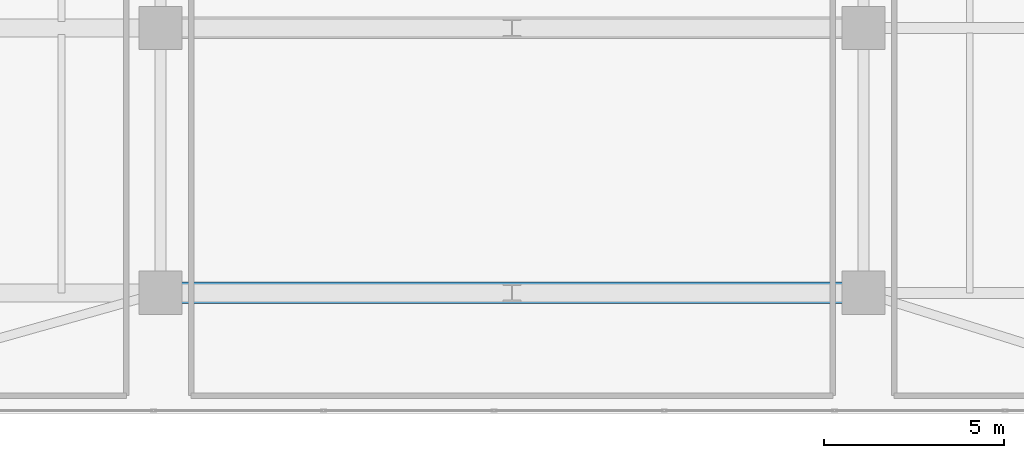
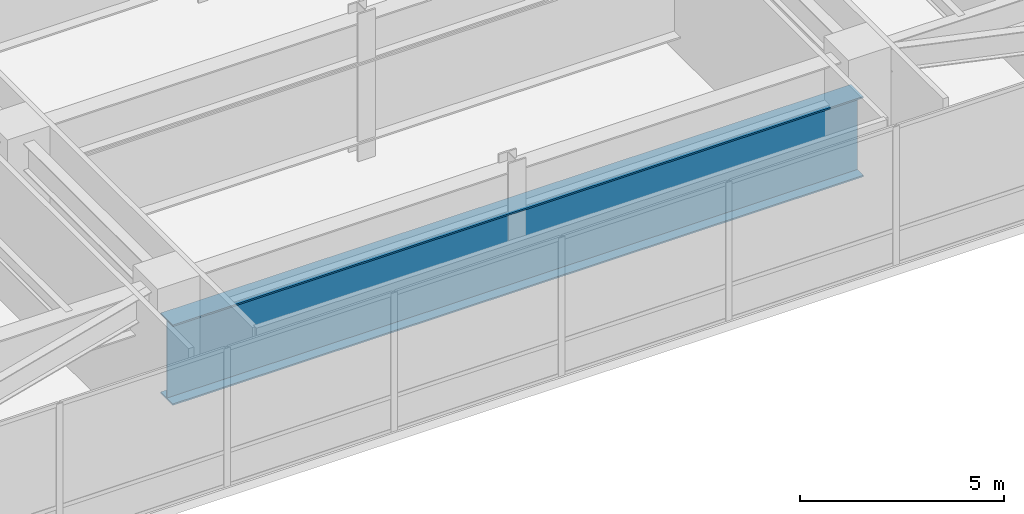
# One storey, part 10 of 27: 1 beam.
"""IFC4 building model written with IfcOpenShell, lengths in metres."""

from ifc_helpers import new_model, si_unit, direction, frame, origin, origin_2d, place, context, subcontext, project, spatial, i_section, extrude, source, transform, mapped, material, material_profile, profile_set, type_object, type_shapes, element, save


model = new_model("IFC4")

# Units and contexts
model_context = context("Model", 3, precision=1e-05, world=origin(), true_north=direction((0.0, 1.0)))
body_context = subcontext(model_context, "Body", "Model", "MODEL_VIEW")
ifc_project = project(units=[si_unit("LENGTHUNIT", "METRE"), si_unit("AREAUNIT", "SQUARE_METRE"), si_unit("VOLUMEUNIT", "CUBIC_METRE"), si_unit("PLANEANGLEUNIT", "RADIAN"), si_unit("MASSUNIT", "GRAM", prefix="KILO")], contexts=[model_context])

# Site, building, storey
site_placement = place(None, origin())
site = spatial("IfcSite", under=ifc_project, at=site_placement, CompositionType="ELEMENT")
building_placement = place(site_placement, origin())
building = spatial("IfcBuilding", under=site, at=building_placement, Name="Tolvann Quenvar Hotel", CompositionType="ELEMENT")
storey_placement = place(building_placement, frame((0.0, 0.0, 22.39990234375)))
storey = spatial("IfcBuildingStorey", under=building, at=storey_placement, Name="L04", CompositionType="ELEMENT", Elevation=22.39990234375)

# Beam
ifc_material = material(Name="Steel Grade 350", Category="steel")
ifc_material_profile = material_profile(ifc_material, i_section(OverallWidth=0.60009765625, OverallDepth=2.39990234375, WebThickness=0.02001953125, FlangeThickness=0.044921875, at=origin_2d()), Name="2400WB655")
ifc_profile_set = profile_set([ifc_material_profile], Name="Steel Grade 350")
beam_type = type_object("IfcBeamType", Name="BM_TG_2400WB655", PredefinedType="USERDEFINED", material=ifc_profile_set)
shared_shape = source(origin(), body_context, "Body", "SweptSolid", [
    extrude(i_section(OverallWidth=0.60009765625, OverallDepth=2.39990234375, WebThickness=0.02001953125, FlangeThickness=0.044921875, at=origin_2d()), origin(), (0.0, 0.0, 1.0), 19.5),
])
type_shapes(beam_type, [shared_shape])
beam_placement = place(storey_placement, frame((18.75, 0.85009765625, 1.739990234375), z_axis=(1.0, 0.0, 0.0), x_axis=(0.0, 1.0, 0.0)))
element("IfcBeam", 1, at=beam_placement, inside=storey, type_object=beam_type, Name="BM-L04-ACAR-1", ObjectType="TRANSFER GIRDER", PredefinedType="USERDEFINED", context=body_context, shape_type="MappedRepresentation", body=[
    mapped(shared_shape, transform((0.0, 0.0, 0.0), x_axis=(1.0, 0.0, 0.0), y_axis=(0.0, 1.0, 0.0), z_axis=(0.0, 0.0, 1.0), scale=1.0)),
])

save(model, "model.ifc")
